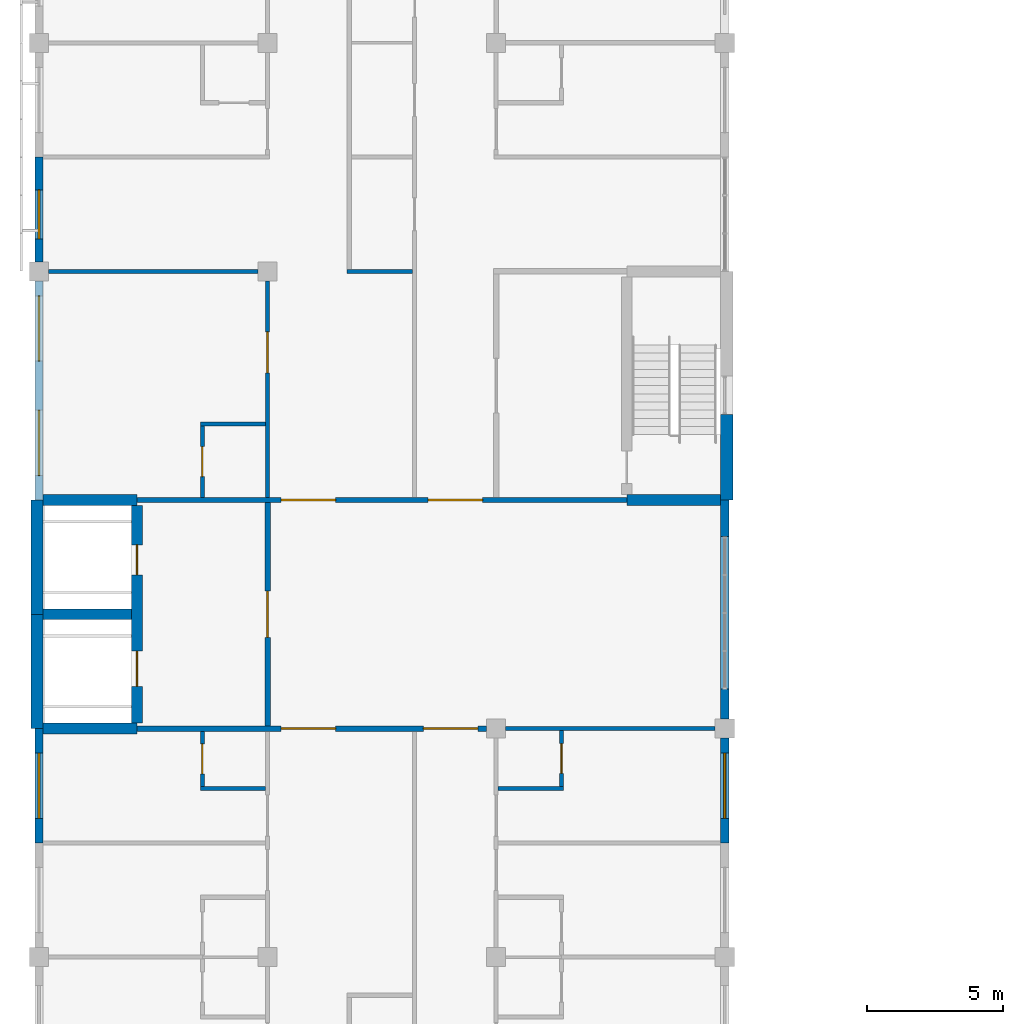
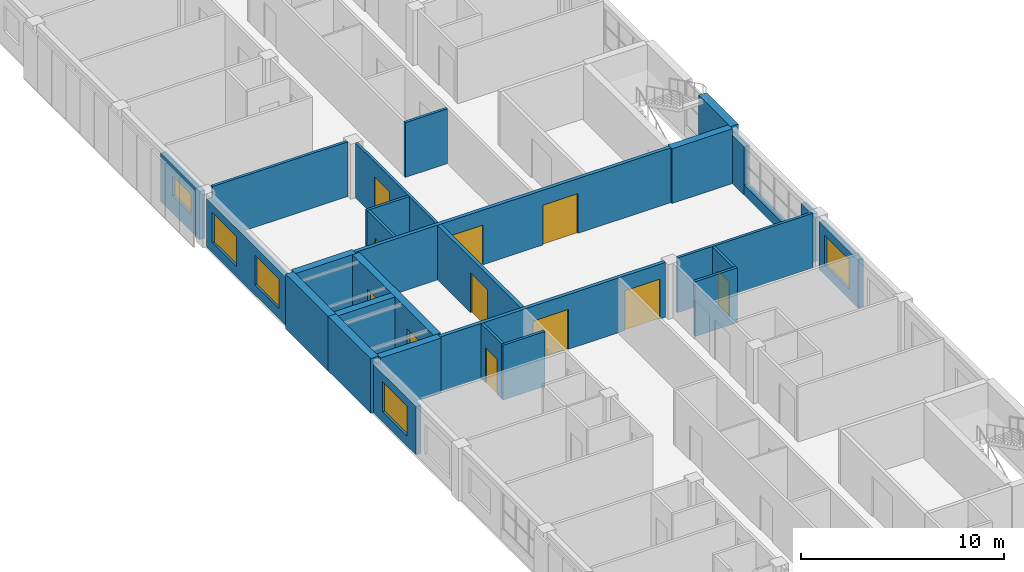
# One storey, part 34 of 48: 28 walls, 11 doors, 5 windows, 16 openings.
"""IFC4 building model written with IfcOpenShell, lengths in metres."""

from ifc_helpers import new_model, si_unit, direction, frame, frame_2d, origin, place, context, subcontext, project, spatial, rectangle, extrude, material, layer, layer_set, type_object, element, fill, save


model = new_model("IFC4")

# Units and contexts
model_context = context("Model", 3, precision=1e-05, world=origin(), true_north=direction((0.0, 1.0)))
body_context = subcontext(model_context, "Body", "Model", "MODEL_VIEW")
ifc_project = project(units=[si_unit("LENGTHUNIT", "METRE"), si_unit("AREAUNIT", "SQUARE_METRE"), si_unit("VOLUMEUNIT", "CUBIC_METRE"), si_unit("PLANEANGLEUNIT", "RADIAN"), si_unit("MASSUNIT", "GRAM", prefix="KILO")], contexts=[model_context])

# Site, building, storey
site_placement = place(None, origin())
site = spatial("IfcSite", under=ifc_project, at=site_placement, CompositionType="ELEMENT")
building_placement = place(site_placement, origin())
building = spatial("IfcBuilding", under=site, at=building_placement, Name="Yavir Park General Hospital", CompositionType="ELEMENT")
storey_placement = place(building_placement, frame((0.0, 0.0, 26.10009765625)))
storey = spatial("IfcBuildingStorey", under=building, at=storey_placement, Name="L06", CompositionType="ELEMENT", Elevation=26.10009765625)

# Wall, openings, doors
ifc_material_1 = material(Name="Double gypsum board fire partition on steel studs", Category="steel")
ifc_layer_1 = layer(ifc_material_1, 0.199951171875)
ifc_layer_set_1 = layer_set([ifc_layer_1], Name="Double gypsum board fire partition on steel studs")
wall_type_1 = type_object("IfcWallType", Name="Fire-rated partition 200, EI 60", PredefinedType="PARTITIONING", material=ifc_layer_set_1)
wall_1_placement = place(storey_placement, frame((3.60009765625, 67.199951171875, 0.0), z_axis=(0.0, 0.0, 1.0), x_axis=(1.0, 0.0, 0.0)))
wall_1 = element("IfcWall", 1, at=wall_1_placement, inside=storey, type_object=wall_type_1, Name="FP20 L06-098", PredefinedType="PARTITIONING", context=body_context, shape_type="SweptSolid", body=[
    extrude(rectangle(XDim=12.849853515625, YDim=0.199951171875, at=frame_2d((6.4248046875, 0.0))), origin(), (0.0, 0.0, 1.0), 3.2998046875),
])
opening_1_placement = place(wall_1_placement, frame((5.300048828125, 0.0, 0.0)))
opening_1 = element("IfcOpeningElement", 2, at=opening_1_placement, cuts=wall_1, Name="Opening L06.D069", PredefinedType="OPENING", context=body_context, shape_type="SweptSolid", body=[
    extrude(rectangle(XDim=2.0, YDim=2.39990234375, at=frame_2d((1.0, 1.199951171875))), frame((0.0, 0.10986328125, 0.0), z_axis=(0.0, -1.0, 0.0), x_axis=(1.0, 0.0, 0.0)), (0.0, 0.0, 1.0), 0.219970703125),
])
opening_2_placement = place(wall_1_placement, frame((10.52490234375, 0.0, 0.0)))
opening_2 = element("IfcOpeningElement", 3, at=opening_2_placement, cuts=wall_1, Name="Opening L06.D070", PredefinedType="OPENING", context=body_context, shape_type="SweptSolid", body=[
    extrude(rectangle(XDim=2.0, YDim=2.39990234375, at=frame_2d((1.0, 1.199951171875))), frame((0.0, 0.10986328125, 0.0), z_axis=(0.0, -1.0, 0.0), x_axis=(1.0, 0.0, 0.0)), (0.0, 0.0, 1.0), 0.219970703125),
])
ifc_material_2 = material(Name="Steel frame, fire-resisting leaves with vision panels", Category="steel")
door_type_1 = type_object("IfcDoorType", Name="Double fire door with vision panels 2000 x 2400, EI 60", OperationType="DOUBLE_DOOR_SINGLE_SWING", PredefinedType="DOOR", material=ifc_material_2)
door_1_placement = place(opening_1_placement, origin())
door_1 = element("IfcDoor", 4, at=door_1_placement, inside=storey, type_object=door_type_1, Name="L06.D069", OperationType="SINGLE_SWING_LEFT", OverallHeight=2.39990234375, OverallWidth=2.0, PredefinedType="DOOR", context=body_context, shape_type="SweptSolid", body=[
    extrude(rectangle(XDim=2.0, YDim=2.39990234375, at=frame_2d((1.0, 1.199951171875))), frame((0.0, 0.030029296875, 0.0), z_axis=(0.0, -1.0, 0.0), x_axis=(1.0, 0.0, 0.0)), (0.0, 0.0, 1.0), 0.06005859375),
])
fill(opening_1, door_1)
door_2_placement = place(opening_2_placement, origin())
door_2 = element("IfcDoor", 5, at=door_2_placement, inside=storey, type_object=door_type_1, Name="L06.D070", OperationType="SINGLE_SWING_LEFT", OverallHeight=2.39990234375, OverallWidth=2.0, PredefinedType="DOOR", context=body_context, shape_type="SweptSolid", body=[
    extrude(rectangle(XDim=2.0, YDim=2.39990234375, at=frame_2d((1.0, 1.199951171875))), frame((0.0, 0.030029296875, 0.0), z_axis=(0.0, -1.0, 0.0), x_axis=(1.0, 0.0, 0.0)), (0.0, 0.0, 1.0), 0.06005859375),
])
fill(opening_2, door_2)

wall_2_placement = place(storey_placement, frame((3.60009765625, 75.60009765625, 0.0), z_axis=(0.0, 0.0, 1.0), x_axis=(1.0, 0.0, 0.0)))
wall_2 = element("IfcWall", 6, at=wall_2_placement, inside=storey, type_object=wall_type_1, Name="FP20 L06-102", PredefinedType="PARTITIONING", context=body_context, shape_type="SweptSolid", body=[
    extrude(rectangle(XDim=18.0, YDim=0.199951171875, at=frame_2d((9.0, 0.0))), origin(), (0.0, 0.0, 1.0), 3.2998046875),
])
opening_3_placement = place(wall_2_placement, frame((5.300048828125, 0.0, 0.0)))
opening_3 = element("IfcOpeningElement", 7, at=opening_3_placement, cuts=wall_2, Name="Opening L06.D071", PredefinedType="OPENING", context=body_context, shape_type="SweptSolid", body=[
    extrude(rectangle(XDim=2.0, YDim=2.39990234375, at=frame_2d((1.0, 1.199951171875))), frame((0.0, 0.10986328125, 0.0), z_axis=(0.0, -1.0, 0.0), x_axis=(1.0, 0.0, 0.0)), (0.0, 0.0, 1.0), 0.219970703125),
])
opening_4_placement = place(wall_2_placement, frame((10.699951171875, 0.0, 0.0)))
opening_4 = element("IfcOpeningElement", 8, at=opening_4_placement, cuts=wall_2, Name="Opening L06.D072", PredefinedType="OPENING", context=body_context, shape_type="SweptSolid", body=[
    extrude(rectangle(XDim=2.0, YDim=2.39990234375, at=frame_2d((1.0, 1.199951171875))), frame((0.0, 0.10986328125, 0.0), z_axis=(0.0, -1.0, 0.0), x_axis=(1.0, 0.0, 0.0)), (0.0, 0.0, 1.0), 0.219970703125),
])
door_3_placement = place(opening_3_placement, origin())
door_3 = element("IfcDoor", 9, at=door_3_placement, inside=storey, type_object=door_type_1, Name="L06.D071", OperationType="SINGLE_SWING_RIGHT", OverallHeight=2.39990234375, OverallWidth=2.0, PredefinedType="DOOR", context=body_context, shape_type="SweptSolid", body=[
    extrude(rectangle(XDim=2.0, YDim=2.39990234375, at=frame_2d((1.0, 1.199951171875))), frame((0.0, 0.030029296875, 0.0), z_axis=(0.0, -1.0, 0.0), x_axis=(1.0, 0.0, 0.0)), (0.0, 0.0, 1.0), 0.06005859375),
])
fill(opening_3, door_3)
door_4_placement = place(opening_4_placement, origin())
door_4 = element("IfcDoor", 10, at=door_4_placement, inside=storey, type_object=door_type_1, Name="L06.D072", OperationType="SINGLE_SWING_RIGHT", OverallHeight=2.39990234375, OverallWidth=2.0, PredefinedType="DOOR", context=body_context, shape_type="SweptSolid", body=[
    extrude(rectangle(XDim=2.0, YDim=2.39990234375, at=frame_2d((1.0, 1.199951171875))), frame((0.0, 0.030029296875, 0.0), z_axis=(0.0, -1.0, 0.0), x_axis=(1.0, 0.0, 0.0)), (0.0, 0.0, 1.0), 0.06005859375),
])
fill(opening_4, door_4)

# Wall, opening, door
wall_3_placement = place(storey_placement, frame((8.39990234375, 67.300048828125, 0.0), z_axis=(0.0, 0.0, 1.0), x_axis=(0.0, 1.0, 0.0)))
wall_3 = element("IfcWall", 11, at=wall_3_placement, inside=storey, type_object=wall_type_1, Name="FP20 L06-155", PredefinedType="PARTITIONING", context=body_context, shape_type="SweptSolid", body=[
    extrude(rectangle(XDim=8.199951171875, YDim=0.199951171875, at=frame_2d((4.10009765625, 0.0))), origin(), (0.0, 0.0, 1.0), 3.2998046875),
])
opening_5_placement = place(wall_3_placement, frame((3.25, 0.0, 0.0)))
opening_5 = element("IfcOpeningElement", 12, at=opening_5_placement, cuts=wall_3, Name="Opening L06.D093", PredefinedType="OPENING", context=body_context, shape_type="SweptSolid", body=[
    extrude(rectangle(XDim=1.699951171875, YDim=2.39990234375, at=frame_2d((0.85009765625, 1.199951171875))), frame((0.0, 0.10986328125, 0.0), z_axis=(0.0, -1.0, 0.0), x_axis=(1.0, 0.0, 0.0)), (0.0, 0.0, 1.0), 0.219970703125),
])
ifc_material_3 = material(Name="Steel frame, fire-resisting timber leaves", Category="steel")
door_type_2 = type_object("IfcDoorType", Name="Double fire door 1700 x 2400, EI 60", OperationType="DOUBLE_DOOR_SINGLE_SWING", PredefinedType="DOOR", material=ifc_material_3)
door_5_placement = place(opening_5_placement, origin())
door_5 = element("IfcDoor", 13, at=door_5_placement, inside=storey, type_object=door_type_2, Name="L06.D093", OperationType="SINGLE_SWING_RIGHT", OverallHeight=2.39990234375, OverallWidth=1.699951171875, PredefinedType="DOOR", context=body_context, shape_type="SweptSolid", body=[
    extrude(rectangle(XDim=1.699951171875, YDim=2.39990234375, at=frame_2d((0.85009765625, 1.199951171875))), frame((0.0, 0.02490234375, 0.0), z_axis=(0.0, -1.0, 0.0), x_axis=(1.0, 0.0, 0.0)), (0.0, 0.0, 1.0), 0.050048828125),
])
fill(opening_5, door_5)

# Walls
ifc_material_4 = material(Name="Gypsum board partition on steel studs", Category="steel")
ifc_layer_2 = layer(ifc_material_4, 0.14990234375)
ifc_layer_set_2 = layer_set([ifc_layer_2], Name="Gypsum board partition on steel studs")
wall_type_2 = type_object("IfcWallType", Name="Gypsum board partition 150", PredefinedType="PARTITIONING", material=ifc_layer_set_2)
for number, where, z_axis, x_axis, name in (
    (14, (5.925048828125, 65.0, 0.0), (0.0, 0.0, 1.0), (1.0, 0.0, 0.0), "P15 L06-095"),
    (15, (16.875, 65.0, 0.0), (0.0, 0.0, 1.0), (1.0, 0.0, 0.0), "P15 L06-096"),
):
    element("IfcWall", number, at=place(storey_placement, frame(where, z_axis=z_axis, x_axis=x_axis)), inside=storey, type_object=wall_type_2, Name=name, PredefinedType="PARTITIONING", context=body_context, shape_type="SweptSolid", body=[
        extrude(rectangle(XDim=2.39990234375, YDim=0.14990234375, at=frame_2d((1.199951171875, 0.0))), origin(), (0.0, 0.0, 1.0), 3.2998046875),
    ])
wall_4_placement = place(storey_placement, frame((17.14990234375, 67.199951171875, 0.0), z_axis=(0.0, 0.0, 1.0), x_axis=(1.0, 0.0, 0.0)))
element("IfcWall", 16, at=wall_4_placement, inside=storey, type_object=wall_type_2, Name="P15 L06-099", PredefinedType="PARTITIONING", context=body_context, shape_type="SweptSolid", body=[
    extrude(rectangle(XDim=7.7001953125, YDim=0.14990234375, at=frame_2d((3.85009765625, 0.0))), origin(), (0.0, 0.0, 1.0), 3.2998046875),
])
wall_5_placement = place(storey_placement, frame((5.925048828125, 78.39990234375, 0.0), z_axis=(0.0, 0.0, 1.0), x_axis=(1.0, 0.0, 0.0)))
element("IfcWall", 17, at=wall_5_placement, inside=storey, type_object=wall_type_2, Name="P15 L06-104", PredefinedType="PARTITIONING", context=body_context, shape_type="SweptSolid", body=[
    extrude(rectangle(XDim=2.39990234375, YDim=0.14990234375, at=frame_2d((1.199951171875, 0.0))), origin(), (0.0, 0.0, 1.0), 3.2998046875),
])
wall_6_placement = place(storey_placement, frame((0.35009765625, 84.0, 0.0), z_axis=(0.0, 0.0, 1.0), x_axis=(1.0, 0.0, 0.0)))
element("IfcWall", 18, at=wall_6_placement, inside=storey, type_object=wall_type_2, Name="P15 L06-105", PredefinedType="PARTITIONING", context=body_context, shape_type="SweptSolid", body=[
    extrude(rectangle(XDim=7.699951171875, YDim=0.14990234375, at=frame_2d((3.85009765625, 0.0))), origin(), (0.0, 0.0, 1.0), 3.2998046875),
])
wall_7_placement = place(storey_placement, frame((11.324951171875, 84.0, 0.0), z_axis=(0.0, 0.0, 1.0), x_axis=(1.0, 0.0, 0.0)))
element("IfcWall", 19, at=wall_7_placement, inside=storey, type_object=wall_type_2, Name="P15 L06-106", PredefinedType="PARTITIONING", context=body_context, shape_type="SweptSolid", body=[
    extrude(rectangle(XDim=2.400146484375, YDim=0.14990234375, at=frame_2d((1.2001953125, 0.0))), origin(), (0.0, 0.0, 1.0), 3.2998046875),
])

# Wall, opening, door
wall_8_placement = place(storey_placement, frame((6.0, 65.074951171875, 0.0), z_axis=(0.0, 0.0, 1.0), x_axis=(0.0, 1.0, 0.0)))
wall_8 = element("IfcWall", 20, at=wall_8_placement, inside=storey, type_object=wall_type_2, Name="P15 L06-143", PredefinedType="PARTITIONING", context=body_context, shape_type="SweptSolid", body=[
    extrude(rectangle(XDim=2.025146484375, YDim=0.14990234375, at=frame_2d((1.0126953125, 0.0))), origin(), (0.0, 0.0, 1.0), 3.2998046875),
])
opening_6_placement = place(wall_8_placement, frame((0.46240234375, 0.0, 0.0)))
opening_6 = element("IfcOpeningElement", 21, at=opening_6_placement, cuts=wall_8, Name="Opening L06.D083", PredefinedType="OPENING", context=body_context, shape_type="SweptSolid", body=[
    extrude(rectangle(XDim=1.10009765625, YDim=2.10009765625, at=frame_2d((0.550048828125, 1.050048828125))), frame((0.0, 0.0849609375, 0.0), z_axis=(0.0, -1.0, 0.0), x_axis=(1.0, 0.0, 0.0)), (0.0, 0.0, 1.0), 0.169921875),
])
ifc_material_5 = material(Name="Hollow metal frame, solid-core timber leaf", Category="wood")
door_type_3 = type_object("IfcDoorType", Name="Single swing door 1100 x 2100", OperationType="SINGLE_SWING_LEFT", PredefinedType="DOOR", material=ifc_material_5)
door_6_placement = place(opening_6_placement, origin())
door_6 = element("IfcDoor", 22, at=door_6_placement, inside=storey, type_object=door_type_3, Name="L06.D083", OperationType="SINGLE_SWING_LEFT", OverallHeight=2.10009765625, OverallWidth=1.10009765625, PredefinedType="DOOR", context=body_context, shape_type="SweptSolid", body=[
    extrude(rectangle(XDim=1.10009765625, YDim=2.10009765625, at=frame_2d((0.550048828125, 1.050048828125))), frame((0.0, 0.02490234375, 0.0), z_axis=(0.0, -1.0, 0.0), x_axis=(1.0, 0.0, 0.0)), (0.0, 0.0, 1.0), 0.050048828125),
])
fill(opening_6, door_6)

wall_9_placement = place(storey_placement, frame((6.0, 75.699951171875, 0.0), z_axis=(0.0, 0.0, 1.0), x_axis=(0.0, 1.0, 0.0)))
wall_9 = element("IfcWall", 23, at=wall_9_placement, inside=storey, type_object=wall_type_2, Name="P15 L06-144", PredefinedType="PARTITIONING", context=body_context, shape_type="SweptSolid", body=[
    extrude(rectangle(XDim=2.625, YDim=0.14990234375, at=frame_2d((1.3125, 0.0))), origin(), (0.0, 0.0, 1.0), 3.2998046875),
])
opening_7_placement = place(wall_9_placement, frame((0.762451171875, 0.0, 0.0)))
opening_7 = element("IfcOpeningElement", 24, at=opening_7_placement, cuts=wall_9, Name="Opening L06.D084", PredefinedType="OPENING", context=body_context, shape_type="SweptSolid", body=[
    extrude(rectangle(XDim=1.10009765625, YDim=2.10009765625, at=frame_2d((0.550048828125, 1.050048828125))), frame((0.0, 0.0849609375, 0.0), z_axis=(0.0, -1.0, 0.0), x_axis=(1.0, 0.0, 0.0)), (0.0, 0.0, 1.0), 0.169921875),
])
door_7_placement = place(opening_7_placement, origin())
door_7 = element("IfcDoor", 25, at=door_7_placement, inside=storey, type_object=door_type_3, Name="L06.D084", OperationType="SINGLE_SWING_RIGHT", OverallHeight=2.10009765625, OverallWidth=1.10009765625, PredefinedType="DOOR", context=body_context, shape_type="SweptSolid", body=[
    extrude(rectangle(XDim=1.10009765625, YDim=2.10009765625, at=frame_2d((0.550048828125, 1.050048828125))), frame((0.0, 0.02490234375, 0.0), z_axis=(0.0, -1.0, 0.0), x_axis=(1.0, 0.0, 0.0)), (0.0, 0.0, 1.0), 0.050048828125),
])
fill(opening_7, door_7)

wall_10_placement = place(storey_placement, frame((8.39990234375, 75.699951171875, 0.0), z_axis=(0.0, 0.0, 1.0), x_axis=(0.0, 1.0, 0.0)))
wall_10 = element("IfcWall", 26, at=wall_10_placement, inside=storey, type_object=wall_type_2, Name="P15 L06-156", PredefinedType="PARTITIONING", context=body_context, shape_type="SweptSolid", body=[
    extrude(rectangle(XDim=7.949951171875, YDim=0.14990234375, at=frame_2d((3.97509765625, 0.0))), origin(), (0.0, 0.0, 1.0), 3.2998046875),
])
opening_8_placement = place(wall_10_placement, frame((4.574951171875, 0.0, 0.0)))
opening_8 = element("IfcOpeningElement", 27, at=opening_8_placement, cuts=wall_10, Name="Opening L06.D094", PredefinedType="OPENING", context=body_context, shape_type="SweptSolid", body=[
    extrude(rectangle(XDim=1.5, YDim=2.39990234375, at=frame_2d((0.75, 1.199951171875))), frame((0.0, 0.0849609375, 0.0), z_axis=(0.0, -1.0, 0.0), x_axis=(1.0, 0.0, 0.0)), (0.0, 0.0, 1.0), 0.169921875),
])
ifc_material_6 = material(Name="Solid-core timber leaves, push plates, kick plates", Category="wood")
door_type_4 = type_object("IfcDoorType", Name="Bed door, unequal leaves 1500 x 2400", OperationType="DOUBLE_DOOR_SINGLE_SWING", PredefinedType="DOOR", material=ifc_material_6)
door_8_placement = place(opening_8_placement, origin())
door_8 = element("IfcDoor", 28, at=door_8_placement, inside=storey, type_object=door_type_4, Name="L06.D094", OperationType="SINGLE_SWING_RIGHT", OverallHeight=2.39990234375, OverallWidth=1.5, PredefinedType="DOOR", context=body_context, shape_type="SweptSolid", body=[
    extrude(rectangle(XDim=1.5, YDim=2.39990234375, at=frame_2d((0.75, 1.199951171875))), frame((0.0, 0.030029296875, 0.0), z_axis=(0.0, -1.0, 0.0), x_axis=(1.0, 0.0, 0.0)), (0.0, 0.0, 1.0), 0.06005859375),
])
fill(opening_8, door_8)

wall_11_placement = place(storey_placement, frame((19.199951171875, 65.074951171875, 0.0), z_axis=(0.0, 0.0, 1.0), x_axis=(0.0, 1.0, 0.0)))
wall_11 = element("IfcWall", 29, at=wall_11_placement, inside=storey, type_object=wall_type_2, Name="P15 L06-190", PredefinedType="PARTITIONING", context=body_context, shape_type="SweptSolid", body=[
    extrude(rectangle(XDim=2.050048828125, YDim=0.14990234375, at=frame_2d((1.02490234375, 0.0))), origin(), (0.0, 0.0, 1.0), 3.2998046875),
])
opening_9_placement = place(wall_11_placement, frame((0.47509765625, 0.0, 0.0)))
opening_9 = element("IfcOpeningElement", 30, at=opening_9_placement, cuts=wall_11, Name="Opening L06.D131", PredefinedType="OPENING", context=body_context, shape_type="SweptSolid", body=[
    extrude(rectangle(XDim=1.10009765625, YDim=2.10009765625, at=frame_2d((0.550048828125, 1.050048828125))), frame((0.0, 0.0849609375, 0.0), z_axis=(0.0, -1.0, 0.0), x_axis=(1.0, 0.0, 0.0)), (0.0, 0.0, 1.0), 0.169921875),
])
door_9_placement = place(opening_9_placement, origin())
door_9 = element("IfcDoor", 31, at=door_9_placement, inside=storey, type_object=door_type_3, Name="L06.D131", OperationType="SINGLE_SWING_RIGHT", OverallHeight=2.10009765625, OverallWidth=1.10009765625, PredefinedType="DOOR", context=body_context, shape_type="SweptSolid", body=[
    extrude(rectangle(XDim=1.10009765625, YDim=2.10009765625, at=frame_2d((0.550048828125, 1.050048828125))), frame((0.0, 0.02490234375, 0.0), z_axis=(0.0, -1.0, 0.0), x_axis=(1.0, 0.0, 0.0)), (0.0, 0.0, 1.0), 0.050048828125),
])
fill(opening_9, door_9)

# Wall, opening, window
ifc_material_7 = material(Name="Autoclaved aerated block, mineral wool and ochre mineral render")
ifc_layer_3 = layer(ifc_material_7, 0.300048828125)
ifc_layer_set_3 = layer_set([ifc_layer_3], Name="Autoclaved aerated block, mineral wool and ochre mineral render")
wall_type_3 = type_object("IfcWallType", Name="Ochre render ward wall 300, E 30", PredefinedType="SOLIDWALL", material=ifc_layer_set_3)
wall_12_placement = place(storey_placement, frame((0.0, 63.0, 0.0), z_axis=(0.0, 0.0, 1.0), x_axis=(0.0, 1.0, 0.0)))
wall_12 = element("IfcWall", 32, at=wall_12_placement, inside=storey, type_object=wall_type_3, Name="XW7 L06-087", PredefinedType="SOLIDWALL", context=body_context, shape_type="SweptSolid", body=[
    extrude(rectangle(XDim=4.199951171875, YDim=0.300048828125, at=frame_2d((2.10009765625, 0.0))), origin(), (0.0, 0.0, 1.0), 2.89990234375),
])
opening_10_placement = place(wall_12_placement, frame((0.89990234375, 0.0, 0.60009765625)))
opening_10 = element("IfcOpeningElement", 33, at=opening_10_placement, cuts=wall_12, Name="Opening WR", PredefinedType="OPENING", context=body_context, shape_type="SweptSolid", body=[
    extrude(rectangle(XDim=2.39990234375, YDim=1.800048828125, at=frame_2d((1.199951171875, 0.89990234375))), frame((0.0, 0.159912109375, 0.0), z_axis=(0.0, -1.0, 0.0), x_axis=(1.0, 0.0, 0.0)), (0.0, 0.0, 1.0), 0.320068359375),
])
ifc_material_8 = material(Name="Aluminium frame, double glazed unit", Category="aluminium")
window_type_1 = type_object("IfcWindowType", Name="Therapy room window 2400 x 1800", PartitioningType="DOUBLE_PANEL_VERTICAL", PredefinedType="WINDOW", material=ifc_material_8)
window_1_placement = place(opening_10_placement, origin())
window_1 = element("IfcWindow", 34, at=window_1_placement, inside=storey, type_object=window_type_1, Name="WR L06-032", OverallHeight=1.800048828125, OverallWidth=2.39990234375, PartitioningType="DOUBLE_PANEL_VERTICAL", PredefinedType="WINDOW", context=body_context, shape_type="SweptSolid", body=[
    extrude(rectangle(XDim=2.39990234375, YDim=1.800048828125, at=frame_2d((1.199951171875, 0.89990234375))), frame((0.0, 0.030029296875, 0.0), z_axis=(0.0, -1.0, 0.0), x_axis=(1.0, 0.0, 0.0)), (0.0, 0.0, 1.0), 0.06005859375),
])
fill(opening_10, window_1)

# Wall, openings, windows
wall_13_placement = place(storey_placement, frame((0.0, 75.60009765625, 0.0), z_axis=(0.0, 0.0, 1.0), x_axis=(0.0, 1.0, 0.0)))
wall_13 = element("IfcWall", 35, at=wall_13_placement, inside=storey, type_object=wall_type_3, Name="XW7 L06-090", PredefinedType="SOLIDWALL", context=body_context, shape_type="SweptSolid", body=[
    extrude(rectangle(XDim=8.0498046875, YDim=0.300048828125, at=frame_2d((4.02490234375, 0.0))), origin(), (0.0, 0.0, 1.0), 2.89990234375),
])
opening_11_placement = place(wall_13_placement, frame((0.89990234375, 0.0, 0.60009765625)))
opening_11 = element("IfcOpeningElement", 36, at=opening_11_placement, cuts=wall_13, Name="Opening WR", PredefinedType="OPENING", context=body_context, shape_type="SweptSolid", body=[
    extrude(rectangle(XDim=2.39990234375, YDim=1.800048828125, at=frame_2d((1.199951171875, 0.89990234375))), frame((0.0, 0.159912109375, 0.0), z_axis=(0.0, -1.0, 0.0), x_axis=(1.0, 0.0, 0.0)), (0.0, 0.0, 1.0), 0.320068359375),
])
opening_12_placement = place(wall_13_placement, frame((5.10009765625, 0.0, 0.60009765625)))
opening_12 = element("IfcOpeningElement", 37, at=opening_12_placement, cuts=wall_13, Name="Opening WR", PredefinedType="OPENING", context=body_context, shape_type="SweptSolid", body=[
    extrude(rectangle(XDim=2.39990234375, YDim=1.800048828125, at=frame_2d((1.199951171875, 0.89990234375))), frame((0.0, 0.159912109375, 0.0), z_axis=(0.0, -1.0, 0.0), x_axis=(1.0, 0.0, 0.0)), (0.0, 0.0, 1.0), 0.320068359375),
])
window_2_placement = place(opening_11_placement, origin())
window_2 = element("IfcWindow", 38, at=window_2_placement, inside=storey, type_object=window_type_1, Name="WR L06-033", OverallHeight=1.800048828125, OverallWidth=2.39990234375, PartitioningType="DOUBLE_PANEL_VERTICAL", PredefinedType="WINDOW", context=body_context, shape_type="SweptSolid", body=[
    extrude(rectangle(XDim=2.39990234375, YDim=1.800048828125, at=frame_2d((1.199951171875, 0.89990234375))), frame((0.0, 0.030029296875, 0.0), z_axis=(0.0, -1.0, 0.0), x_axis=(1.0, 0.0, 0.0)), (0.0, 0.0, 1.0), 0.06005859375),
])
fill(opening_11, window_2)
window_3_placement = place(opening_12_placement, origin())
window_3 = element("IfcWindow", 39, at=window_3_placement, inside=storey, type_object=window_type_1, Name="WR L06-034", OverallHeight=1.800048828125, OverallWidth=2.39990234375, PartitioningType="DOUBLE_PANEL_VERTICAL", PredefinedType="WINDOW", context=body_context, shape_type="SweptSolid", body=[
    extrude(rectangle(XDim=2.39990234375, YDim=1.800048828125, at=frame_2d((1.199951171875, 0.89990234375))), frame((0.0, 0.030029296875, 0.0), z_axis=(0.0, -1.0, 0.0), x_axis=(1.0, 0.0, 0.0)), (0.0, 0.0, 1.0), 0.06005859375),
])
fill(opening_12, window_3)

# Wall, opening, window
wall_14_placement = place(storey_placement, frame((0.0, 84.35009765625, 0.0), z_axis=(0.0, 0.0, 1.0), x_axis=(0.0, 1.0, 0.0)))
wall_14 = element("IfcWall", 40, at=wall_14_placement, inside=storey, type_object=wall_type_3, Name="XW7 L06-091", PredefinedType="SOLIDWALL", context=body_context, shape_type="SweptSolid", body=[
    extrude(rectangle(XDim=3.849853515625, YDim=0.300048828125, at=frame_2d((1.9248046875, 0.0))), origin(), (0.0, 0.0, 1.0), 2.89990234375),
])
opening_13_placement = place(wall_14_placement, frame((0.85009765625, 0.0, 1.050048828125)))
opening_13 = element("IfcOpeningElement", 41, at=opening_13_placement, cuts=wall_14, Name="Opening WQ", PredefinedType="OPENING", context=body_context, shape_type="SweptSolid", body=[
    extrude(rectangle(XDim=1.800048828125, YDim=1.199951171875, at=frame_2d((0.89990234375, 0.60009765625))), frame((0.0, 0.159912109375, 0.0), z_axis=(0.0, -1.0, 0.0), x_axis=(1.0, 0.0, 0.0)), (0.0, 0.0, 1.0), 0.320068359375),
])
ifc_material_9 = material(Name="Aluminium frame, double glazed unit", Category="aluminium")
window_type_2 = type_object("IfcWindowType", Name="Dining room window 1800 x 1200", PartitioningType="DOUBLE_PANEL_VERTICAL", PredefinedType="WINDOW", material=ifc_material_9)
window_4_placement = place(opening_13_placement, origin())
window_4 = element("IfcWindow", 42, at=window_4_placement, inside=storey, type_object=window_type_2, Name="WQ L06-035", OverallHeight=1.199951171875, OverallWidth=1.800048828125, PartitioningType="DOUBLE_PANEL_VERTICAL", PredefinedType="WINDOW", context=body_context, shape_type="SweptSolid", body=[
    extrude(rectangle(XDim=1.800048828125, YDim=1.199951171875, at=frame_2d((0.89990234375, 0.60009765625))), frame((0.0, 0.030029296875, 0.0), z_axis=(0.0, -1.0, 0.0), x_axis=(1.0, 0.0, 0.0)), (0.0, 0.0, 1.0), 0.06005859375),
])
fill(opening_13, window_4)

wall_15_placement = place(storey_placement, frame((25.199951171875, 63.0, 0.0), z_axis=(0.0, 0.0, 1.0), x_axis=(0.0, 1.0, 0.0)))
wall_15 = element("IfcWall", 43, at=wall_15_placement, inside=storey, type_object=wall_type_3, Name="XW7 L06-110", PredefinedType="SOLIDWALL", context=body_context, shape_type="SweptSolid", body=[
    extrude(rectangle(XDim=3.85009765625, YDim=0.300048828125, at=frame_2d((1.925048828125, 0.0))), origin(), (0.0, 0.0, 1.0), 2.89990234375),
])
opening_14_placement = place(wall_15_placement, frame((0.89990234375, 0.0, 0.60009765625)))
opening_14 = element("IfcOpeningElement", 44, at=opening_14_placement, cuts=wall_15, Name="Opening WR", PredefinedType="OPENING", context=body_context, shape_type="SweptSolid", body=[
    extrude(rectangle(XDim=2.39990234375, YDim=1.800048828125, at=frame_2d((1.199951171875, 0.89990234375))), frame((0.0, 0.159912109375, 0.0), z_axis=(0.0, -1.0, 0.0), x_axis=(1.0, 0.0, 0.0)), (0.0, 0.0, 1.0), 0.320068359375),
])
window_5_placement = place(opening_14_placement, origin())
window_5 = element("IfcWindow", 45, at=window_5_placement, inside=storey, type_object=window_type_1, Name="WR L06-048", OverallHeight=1.800048828125, OverallWidth=2.39990234375, PartitioningType="DOUBLE_PANEL_VERTICAL", PredefinedType="WINDOW", context=body_context, shape_type="SweptSolid", body=[
    extrude(rectangle(XDim=2.39990234375, YDim=1.800048828125, at=frame_2d((1.199951171875, 0.89990234375))), frame((0.0, 0.030029296875, 0.0), z_axis=(0.0, -1.0, 0.0), x_axis=(1.0, 0.0, 0.0)), (0.0, 0.0, 1.0), 0.06005859375),
])
fill(opening_14, window_5)

# Walls
wall_16_placement = place(storey_placement, frame((25.199951171875, 67.550048828125, 0.0), z_axis=(0.0, 0.0, 1.0), x_axis=(0.0, 1.0, 0.0)))
element("IfcWall", 46, at=wall_16_placement, inside=storey, type_object=wall_type_3, Name="XW7 L06-111", PredefinedType="SOLIDWALL", context=body_context, shape_type="SweptSolid", body=[
    extrude(rectangle(XDim=1.099853515625, YDim=0.300048828125, at=frame_2d((0.5498046875, 0.0))), origin(), (0.0, 0.0, 1.0), 2.89990234375),
])
wall_17_placement = place(storey_placement, frame((25.199951171875, 74.25, 0.0), z_axis=(0.0, 0.0, 1.0), x_axis=(0.0, 1.0, 0.0)))
element("IfcWall", 47, at=wall_17_placement, inside=storey, type_object=wall_type_3, Name="XW7 L06-112", PredefinedType="SOLIDWALL", context=body_context, shape_type="SweptSolid", body=[
    extrude(rectangle(XDim=1.35009765625, YDim=0.300048828125, at=frame_2d((0.675048828125, 0.0))), origin(), (0.0, 0.0, 1.0), 2.89990234375),
])
wall_18_placement = place(storey_placement, frame((25.199951171875, 68.64990234375, 0.0), z_axis=(0.0, 0.0, 1.0), x_axis=(0.0, 1.0, 0.0)))
element("IfcWall", 48, at=wall_18_placement, inside=storey, type_object=wall_type_3, Name="XW7 L06-113", PredefinedType="SOLIDWALL", context=body_context, shape_type="SweptSolid", body=[
    extrude(rectangle(XDim=5.60009765625, YDim=0.300048828125, at=frame_2d((2.800048828125, 0.0))), origin(), (0.0, 0.0, 1.0), 0.599853515625),
])
ifc_material_10 = material(Name="Concrete C35/45", Category="concrete")
ifc_layer_4 = layer(ifc_material_10, 0.39990234375)
ifc_layer_set_4 = layer_set([ifc_layer_4], Name="Concrete C35/45")
wall_type_4 = type_object("IfcWallType", Name="Reinforced concrete core wall 400, REI 150", PredefinedType="SHEAR", material=ifc_layer_set_4)
wall_19_placement = place(storey_placement, frame((0.14990234375, 67.199951171875, 0.0), z_axis=(0.0, 0.0, 1.0), x_axis=(1.0, 0.0, 0.0)))
element("IfcWall", 49, at=wall_19_placement, inside=storey, type_object=wall_type_4, Name="CW40 L06-097", PredefinedType="SHEAR", context=body_context, shape_type="SweptSolid", body=[
    extrude(rectangle(XDim=3.4501953125, YDim=0.39990234375, at=frame_2d((1.72509765625, 0.0))), origin(), (0.0, 0.0, 1.0), 3.2998046875),
])
wall_20_placement = place(storey_placement, frame((0.14990234375, 71.39990234375, 0.0), z_axis=(0.0, 0.0, 1.0), x_axis=(1.0, 0.0, 0.0)))
element("IfcWall", 50, at=wall_20_placement, inside=storey, type_object=wall_type_4, Name="CW40 L06-100", PredefinedType="SHEAR", context=body_context, shape_type="SweptSolid", body=[
    extrude(rectangle(XDim=3.25, YDim=0.39990234375, at=frame_2d((1.625, 0.0))), origin(), (0.0, 0.0, 1.0), 3.2998046875),
])
wall_21_placement = place(storey_placement, frame((0.14990234375, 75.60009765625, 0.0), z_axis=(0.0, 0.0, 1.0), x_axis=(1.0, 0.0, 0.0)))
element("IfcWall", 51, at=wall_21_placement, inside=storey, type_object=wall_type_4, Name="CW40 L06-101", PredefinedType="SHEAR", context=body_context, shape_type="SweptSolid", body=[
    extrude(rectangle(XDim=3.4501953125, YDim=0.39990234375, at=frame_2d((1.72509765625, 0.0))), origin(), (0.0, 0.0, 1.0), 3.2998046875),
])
wall_22_placement = place(storey_placement, frame((21.60009765625, 75.60009765625, 0.0), z_axis=(0.0, 0.0, 1.0), x_axis=(1.0, 0.0, 0.0)))
element("IfcWall", 52, at=wall_22_placement, inside=storey, type_object=wall_type_4, Name="CW40 L06-103", PredefinedType="SHEAR", context=body_context, shape_type="SweptSolid", body=[
    extrude(rectangle(XDim=3.449951171875, YDim=0.39990234375, at=frame_2d((1.72509765625, 0.0))), origin(), (0.0, 0.0, 1.0), 3.2998046875),
])

# Wall, openings, doors
wall_23_placement = place(storey_placement, frame((3.60009765625, 67.39990234375, 0.0), z_axis=(0.0, 0.0, 1.0), x_axis=(0.0, 1.0, 0.0)))
wall_23 = element("IfcWall", 53, at=wall_23_placement, inside=storey, type_object=wall_type_4, Name="CW40 L06-134", PredefinedType="SHEAR", context=body_context, shape_type="SweptSolid", body=[
    extrude(rectangle(XDim=8.0, YDim=0.39990234375, at=frame_2d((4.0, 0.0))), origin(), (0.0, 0.0, 1.0), 3.2998046875),
])
opening_15_placement = place(wall_23_placement, frame((1.35009765625, 0.0, 0.0)))
opening_15 = element("IfcOpeningElement", 54, at=opening_15_placement, cuts=wall_23, Name="Opening L06.D075", PredefinedType="OPENING", context=body_context, shape_type="SweptSolid", body=[
    extrude(rectangle(XDim=1.300048828125, YDim=2.10009765625, at=frame_2d((0.64990234375, 1.050048828125))), frame((0.0, 0.2099609375, 0.0), z_axis=(0.0, -1.0, 0.0), x_axis=(1.0, 0.0, 0.0)), (0.0, 0.0, 1.0), 0.419921875),
])
opening_16_placement = place(wall_23_placement, frame((5.449951171875, 0.0, 0.0)))
opening_16 = element("IfcOpeningElement", 55, at=opening_16_placement, cuts=wall_23, Name="Opening L06.D076", PredefinedType="OPENING", context=body_context, shape_type="SweptSolid", body=[
    extrude(rectangle(XDim=1.10009765625, YDim=2.10009765625, at=frame_2d((0.550048828125, 1.050048828125))), frame((0.0, 0.2099609375, 0.0), z_axis=(0.0, -1.0, 0.0), x_axis=(1.0, 0.0, 0.0)), (0.0, 0.0, 1.0), 0.419921875),
])
ifc_material_11 = material(Name="Stainless steel landing door panels", Category="steel")
door_type_5 = type_object("IfcDoorType", Name="Lift landing door 1100 x 2100, EI 60", OperationType="SLIDING_TO_LEFT", PredefinedType="DOOR", material=ifc_material_11)
door_10_placement = place(opening_16_placement, origin())
door_10 = element("IfcDoor", 56, at=door_10_placement, inside=storey, type_object=door_type_5, Name="L06.D076", OperationType="SLIDING_TO_LEFT", OverallHeight=2.10009765625, OverallWidth=1.10009765625, PredefinedType="DOOR", context=body_context, shape_type="SweptSolid", body=[
    extrude(rectangle(XDim=1.10009765625, YDim=2.10009765625, at=frame_2d((0.550048828125, 1.050048828125))), frame((0.0, 0.02490234375, 0.0), z_axis=(0.0, -1.0, 0.0), x_axis=(1.0, 0.0, 0.0)), (0.0, 0.0, 1.0), 0.050048828125),
])
fill(opening_16, door_10)
ifc_material_12 = material(Name="Stainless steel landing door panels", Category="steel")
door_type_6 = type_object("IfcDoorType", Name="Lift landing door 1300 x 2100, EI 60", OperationType="SLIDING_TO_LEFT", PredefinedType="DOOR", material=ifc_material_12)
door_11_placement = place(opening_15_placement, origin())
door_11 = element("IfcDoor", 57, at=door_11_placement, inside=storey, type_object=door_type_6, Name="L06.D075", OperationType="SLIDING_TO_LEFT", OverallHeight=2.10009765625, OverallWidth=1.300048828125, PredefinedType="DOOR", context=body_context, shape_type="SweptSolid", body=[
    extrude(rectangle(XDim=1.300048828125, YDim=2.10009765625, at=frame_2d((0.64990234375, 1.050048828125))), frame((0.0, 0.02490234375, 0.0), z_axis=(0.0, -1.0, 0.0), x_axis=(1.0, 0.0, 0.0)), (0.0, 0.0, 1.0), 0.050048828125),
])
fill(opening_15, door_11)

# Walls
ifc_material_13 = material(Name="Concrete C30/37 precast panel with 150 mm mineral wool insulation", Category="concrete")
ifc_layer_5 = layer(ifc_material_13, 0.449951171875)
ifc_layer_set_5 = layer_set([ifc_layer_5], Name="Concrete C30/37 precast panel with 150 mm mineral wool insulation")
wall_type_5 = type_object("IfcWallType", Name="Stair enclosure wall 450, REI 150", PredefinedType="SOLIDWALL", material=ifc_layer_set_5)
wall_24_placement = place(storey_placement, frame((-0.074951171875, 67.199951171875, 0.0), z_axis=(0.0, 0.0, 1.0), x_axis=(0.0, 1.0, 0.0)))
element("IfcWall", 58, at=wall_24_placement, inside=storey, type_object=wall_type_5, Name="XW6 L06-088", PredefinedType="SOLIDWALL", context=body_context, shape_type="SweptSolid", body=[
    extrude(rectangle(XDim=4.199951171875, YDim=0.449951171875, at=frame_2d((2.10009765625, 0.0))), origin(), (0.0, 0.0, 1.0), 3.2998046875),
])
wall_25_placement = place(storey_placement, frame((-0.074951171875, 71.39990234375, 0.0), z_axis=(0.0, 0.0, 1.0), x_axis=(0.0, 1.0, 0.0)))
element("IfcWall", 59, at=wall_25_placement, inside=storey, type_object=wall_type_5, Name="XW6 L06-089", PredefinedType="SOLIDWALL", context=body_context, shape_type="SweptSolid", body=[
    extrude(rectangle(XDim=4.2001953125, YDim=0.449951171875, at=frame_2d((2.10009765625, 0.0))), origin(), (0.0, 0.0, 1.0), 3.2998046875),
])
wall_26_placement = place(storey_placement, frame((25.27490234375, 75.60009765625, 0.0), z_axis=(0.0, 0.0, 1.0), x_axis=(0.0, 1.0, 0.0)))
element("IfcWall", 60, at=wall_26_placement, inside=storey, type_object=wall_type_5, Name="XW6 L06-114", PredefinedType="SOLIDWALL", context=body_context, shape_type="SweptSolid", body=[
    extrude(rectangle(XDim=3.14990234375, YDim=0.449951171875, at=frame_2d((1.574951171875, 0.0))), origin(), (0.0, 0.0, 1.0), 3.2998046875),
])

save(model, "model.ifc")
